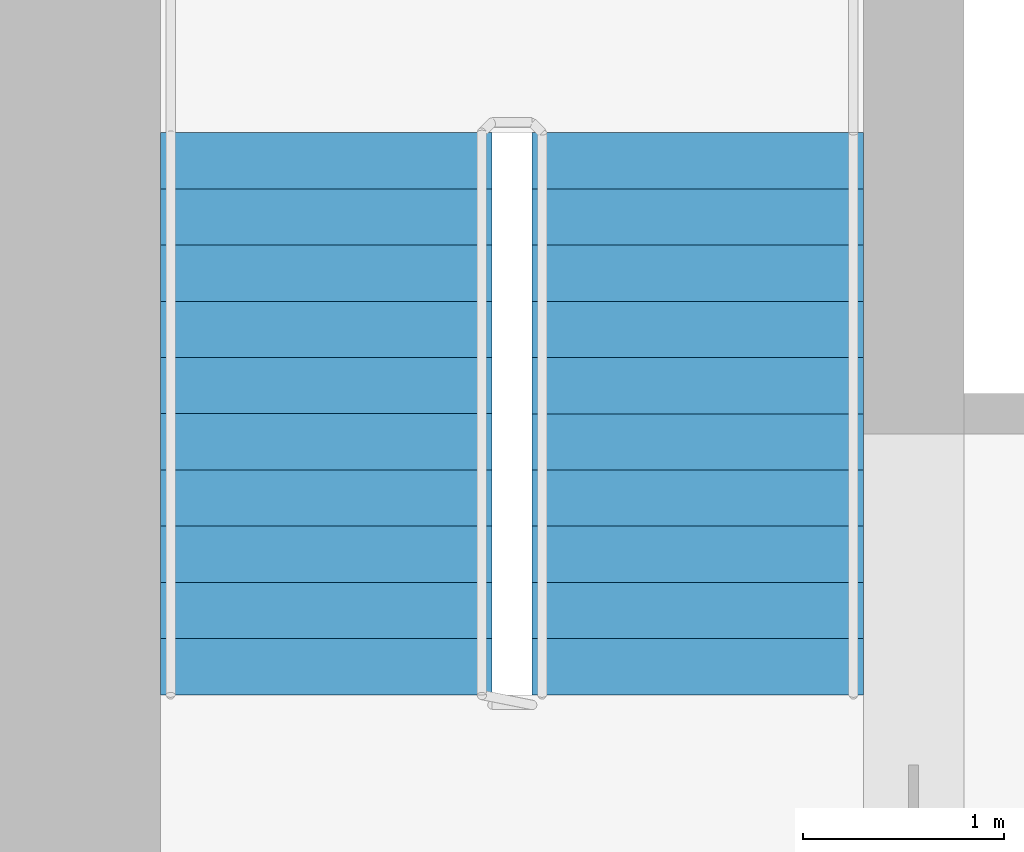
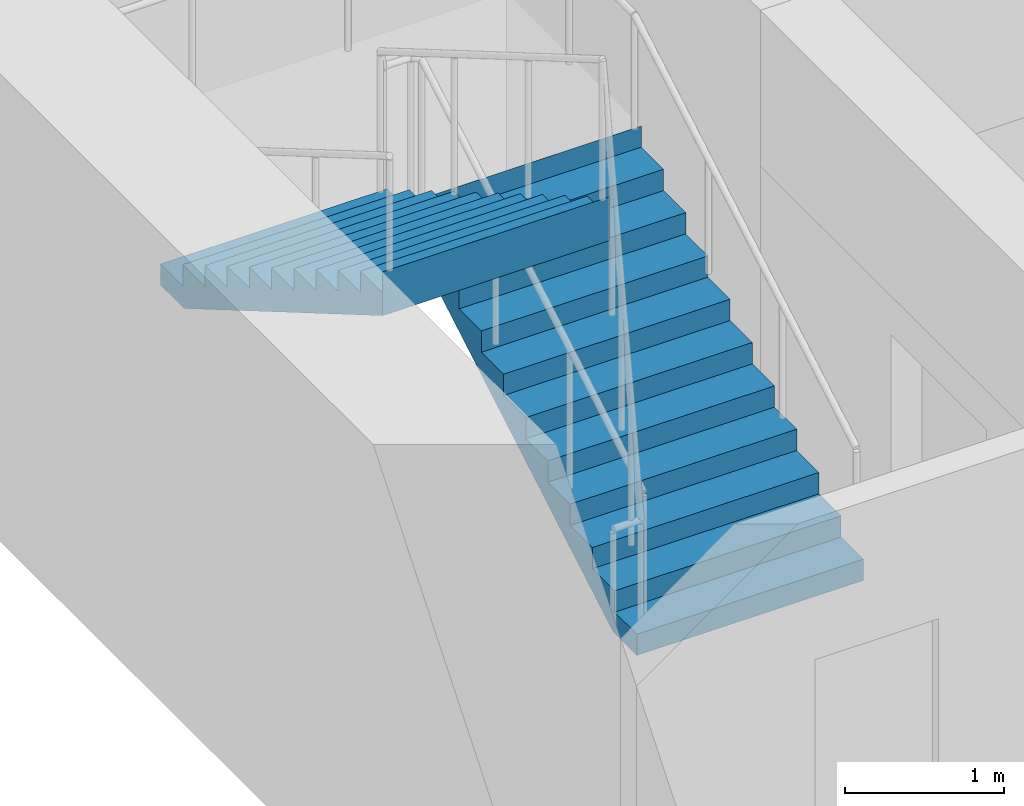
# One storey, part 13 of 14: 2 stair flights, 1 element without a shape of its own.
"""IFC4 building model written with IfcOpenShell, lengths in metres."""

from ifc_helpers import new_model, si_unit, direction, frame, origin, place, context, subcontext, project, spatial, polyline, outline, extrude, material, type_object, element, aggregate, save


model = new_model("IFC4")

# Units and contexts
model_context = context("Model", 3, precision=1e-05, world=origin(), true_north=direction((0.0, 1.0)))
body_context = subcontext(model_context, "Body", "Model", "MODEL_VIEW")
ifc_project = project(units=[si_unit("LENGTHUNIT", "METRE"), si_unit("AREAUNIT", "SQUARE_METRE"), si_unit("VOLUMEUNIT", "CUBIC_METRE"), si_unit("PLANEANGLEUNIT", "RADIAN"), si_unit("MASSUNIT", "GRAM", prefix="KILO")], contexts=[model_context])

# Site, building, storey
site_placement = place(None, origin())
site = spatial("IfcSite", under=ifc_project, at=site_placement, CompositionType="ELEMENT")
building_placement = place(site_placement, origin())
building = spatial("IfcBuilding", under=site, at=building_placement, Name="Tamorin Gate", CompositionType="ELEMENT")
storey_placement = place(building_placement, frame((0.0, 0.0, 70.0)))
storey = spatial("IfcBuildingStorey", under=building, at=storey_placement, Name="L16", CompositionType="ELEMENT", Elevation=70.0)

# Stair, stair flights
ifc_material = material(Name="Concrete C40/50", Category="concrete")
stair_type = type_object("IfcStairType", Name="Exit stair", PredefinedType="HALF_TURN_STAIR", material=ifc_material)
stair_placement = place(storey_placement, origin())
stair = element("IfcStair", 1, at=stair_placement, inside=storey, type_object=stair_type, Name="L16 stair ST2", PredefinedType="HALF_TURN_STAIR")
stair_flight_type = type_object("IfcStairFlightType", Name="Exit stair flight", PredefinedType="STRAIGHT", material=ifc_material)
stair_flight_1_placement = place(storey_placement, frame((33.675048828125, 77.0, 0.0), z_axis=(0.0, 0.0, 1.0), x_axis=(0.0, 1.0, 0.0)))
stair_flight_1 = element("IfcStairFlight", 2, at=stair_flight_1_placement, type_object=stair_flight_type, Name="ST2 flight 1", NumberOfRisers=11, NumberOfTreads=10, PredefinedType="STRAIGHT", RiserHeight=0.163636364, TreadLength=0.28, context=body_context, shape_type="SweptSolid", body=[
    extrude(outline(polyline([(-0.00048828125, 0.0), (-0.00048828125, 0.001708984375), (-0.00048828125, 0.003173828125), (-0.00048828125, 0.0048828125), (-0.00048828125, 0.006591796875), (-0.00048828125, 0.008056640625), (-0.00048828125, 0.009765625), (-0.00048828125, 0.01123046875), (-0.00048828125, 0.012939453125), (-0.00048828125, 0.0146484375), (-0.00048828125, 0.01611328125), (-0.00048828125, 0.017822265625), (-0.00048828125, 0.01953125), (-0.00048828125, 0.02099609375), (-0.00048828125, 0.022705078125), (-0.00048828125, 0.0244140625), (-0.00048828125, 0.02587890625), (-0.00048828125, 0.027587890625), (-0.00048828125, 0.029052734375), (-0.00048828125, 0.03076171875), (-0.00048828125, 0.032470703125), (-0.00048828125, 0.033935546875), (-0.00048828125, 0.03564453125), (-0.00048828125, 0.037353515625), (-0.00048828125, 0.038818359375), (-0.00048828125, 0.04052734375), (-0.00048828125, 0.042236328125), (-0.00048828125, 0.043701171875), (-0.00048828125, 0.04541015625), (-0.00048828125, 0.046875), (-0.00048828125, 0.048583984375), (-0.00048828125, 0.05029296875), (-0.00048828125, 0.0517578125), (-0.00048828125, 0.053466796875), (-0.00048828125, 0.05517578125), (-0.00048828125, 0.056640625), (-0.00048828125, 0.058349609375), (-0.00048828125, 0.06005859375), (-0.00048828125, 0.0615234375), (-0.00048828125, 0.063232421875), (-0.00048828125, 0.064697265625), (-0.00048828125, 0.06640625), (-0.00048828125, 0.068115234375), (-0.00048828125, 0.069580078125), (-0.00048828125, 0.0712890625), (-0.00048828125, 0.072998046875), (-0.00048828125, 0.074462890625), (-0.00048828125, 0.076171875), (-0.00048828125, 0.077880859375), (-0.00048828125, 0.079345703125), (-0.00048828125, 0.0810546875), (-0.00048828125, 0.08251953125), (-0.00048828125, 0.084228515625), (-0.00048828125, 0.0859375), (-0.00048828125, 0.08740234375), (-0.00048828125, 0.089111328125), (-0.00048828125, 0.0908203125), (-0.00048828125, 0.09228515625), (-0.00048828125, 0.093994140625), (-0.00048828125, 0.095703125), (-0.00048828125, 0.09716796875), (-0.00048828125, 0.098876953125), (-0.00048828125, 0.100341796875), (-0.00048828125, 0.10205078125), (-0.00048828125, 0.103759765625), (-0.00048828125, 0.105224609375), (-0.00048828125, 0.10693359375), (-0.00048828125, 0.108642578125), (-0.00048828125, 0.110107421875), (-0.00048828125, 0.11181640625), (-0.00048828125, 0.113525390625), (-0.00048828125, 0.114990234375), (-0.00048828125, 0.11669921875), (-0.00048828125, 0.1181640625), (-0.00048828125, 0.119873046875), (-0.00048828125, 0.12158203125), (-0.00048828125, 0.123046875), (-0.00048828125, 0.124755859375), (-0.00048828125, 0.12646484375), (-0.00048828125, 0.1279296875), (-0.00048828125, 0.129638671875), (-0.00048828125, 0.13134765625), (-0.00048828125, 0.1328125), (-0.00048828125, 0.134521484375), (-0.00048828125, 0.135986328125), (-0.00048828125, 0.1376953125), (-0.00048828125, 0.139404296875), (-0.00048828125, 0.140869140625), (-0.00048828125, 0.142578125), (-0.00048828125, 0.144287109375), (-0.00048828125, 0.145751953125), (-0.00048828125, 0.1474609375), (-0.00048828125, 0.149169921875), (-0.00048828125, 0.150634765625), (-0.00048828125, 0.15234375), (-0.00048828125, 0.15380859375), (-0.00048828125, 0.155517578125), (-0.00048828125, 0.1572265625), (-0.00048828125, 0.15869140625), (-0.00048828125, 0.160400390625), (-0.00048828125, 0.162109375), (-0.00048828125, 0.16357421875), (0.280029296875, 0.16357421875), (0.280029296875, 0.327392578125), (0.56005859375, 0.327392578125), (0.56005859375, 0.490966796875), (0.840087890625, 0.490966796875), (0.840087890625, 0.654541015625), (1.1201171875, 0.654541015625), (1.1201171875, 0.818115234375), (1.39990234375, 0.818115234375), (1.39990234375, 0.98193359375), (1.679931640625, 0.98193359375), (1.679931640625, 1.1455078125), (1.9599609375, 1.1455078125), (1.9599609375, 1.30908203125), (2.239990234375, 1.30908203125), (2.239990234375, 1.47265625), (2.52001953125, 1.47265625), (2.52001953125, 1.636474609375), (2.800048828125, 1.636474609375), (2.800048828125, 1.800048828125), (2.800537109375, 1.800048828125), (2.800537109375, 1.796630859375), (2.800537109375, 1.793212890625), (2.800537109375, 1.7900390625), (2.800537109375, 1.78662109375), (2.800537109375, 1.783203125), (2.800537109375, 1.780029296875), (2.800537109375, 1.776611328125), (2.800537109375, 1.773193359375), (2.800537109375, 1.77001953125), (2.800537109375, 1.7666015625), (2.800537109375, 1.76318359375), (2.800537109375, 1.760009765625), (2.800537109375, 1.756591796875), (2.800537109375, 1.753173828125), (2.800537109375, 1.75), (2.800537109375, 1.74658203125), (2.800537109375, 1.7431640625), (2.800537109375, 1.739990234375), (2.800537109375, 1.736572265625), (2.800537109375, 1.733154296875), (2.800537109375, 1.72998046875), (2.800537109375, 1.7265625), (2.800537109375, 1.72314453125), (2.800537109375, 1.719970703125), (2.800537109375, 1.716552734375), (2.800537109375, 1.713134765625), (2.800537109375, 1.7099609375), (2.800537109375, 1.70654296875), (2.800537109375, 1.703125), (2.800537109375, 1.69970703125), (2.800537109375, 1.696533203125), (2.800537109375, 1.693115234375), (2.800537109375, 1.689697265625), (2.800537109375, 1.6865234375), (2.800537109375, 1.68310546875), (2.800537109375, 1.6796875), (2.800537109375, 1.676513671875), (2.800537109375, 1.673095703125), (2.800537109375, 1.669677734375), (2.800537109375, 1.66650390625), (2.800537109375, 1.6630859375), (2.800537109375, 1.65966796875), (2.800537109375, 1.656494140625), (2.800537109375, 1.653076171875), (2.800537109375, 1.649658203125), (2.800537109375, 1.646484375), (2.800537109375, 1.64306640625), (2.800537109375, 1.6396484375), (2.800537109375, 1.636474609375), (2.800537109375, 1.633056640625), (2.800537109375, 1.629638671875), (2.800537109375, 1.62646484375), (2.800537109375, 1.623046875), (2.800537109375, 1.61962890625), (2.800537109375, 1.616455078125), (2.800537109375, 1.613037109375), (2.800537109375, 1.609619140625), (2.800537109375, 1.6064453125), (2.800537109375, 1.60302734375), (2.800537109375, 1.599609375), (2.800537109375, 1.59619140625), (2.800537109375, 1.593017578125), (2.800537109375, 1.589599609375), (2.800537109375, 1.586181640625), (2.800537109375, 1.5830078125), (2.800537109375, 1.57958984375), (2.800537109375, 1.576171875), (2.800537109375, 1.572998046875), (2.800537109375, 1.569580078125), (2.800537109375, 1.566162109375), (2.800537109375, 1.56298828125), (2.800537109375, 1.5595703125), (2.800537109375, 1.55615234375), (2.800537109375, 1.552978515625), (2.800537109375, 1.549560546875), (2.800537109375, 1.546142578125), (2.800537109375, 1.54296875), (2.800537109375, 1.53955078125), (2.800537109375, 1.5361328125), (2.800537109375, 1.532958984375), (2.800537109375, 1.529541015625), (2.800537109375, 1.526123046875), (2.800537109375, 1.52294921875), (2.800537109375, 1.51953125), (2.800537109375, 1.51611328125), (2.800537109375, 1.512939453125), (2.800537109375, 1.509521484375), (2.800537109375, 1.506103515625), (2.800537109375, 1.5029296875), (2.800537109375, 1.49951171875), (2.800537109375, 1.49609375), (2.800537109375, 1.49267578125), (2.800537109375, 1.489501953125), (2.800537109375, 1.486083984375), (2.800537109375, 1.482666015625), (2.800537109375, 1.4794921875), (2.800537109375, 1.47607421875), (2.800537109375, 1.47265625), (2.800537109375, 1.469482421875), (2.800537109375, 1.466064453125), (2.800537109375, 1.462646484375), (2.800048828125, 1.462646484375), (0.297119140625, 0.0), (-0.00048828125, 0.0)])), frame((0.0, 0.824951171875, 0.0), z_axis=(0.0, -1.0, 0.0), x_axis=(1.0, 0.0, 0.0)), (0.0, 0.0, 1.0), 1.64990234375),
])
stair_flight_2_placement = place(storey_placement, frame((31.824951171875, 79.800048828125, 1.800048828125), z_axis=(0.0, 0.0, 1.0), x_axis=(0.0, -1.0, 0.0)))
stair_flight_2 = element("IfcStairFlight", 3, at=stair_flight_2_placement, type_object=stair_flight_type, Name="ST2 flight 2", NumberOfRisers=11, NumberOfTreads=10, PredefinedType="STRAIGHT", RiserHeight=0.163636364, TreadLength=0.28, context=body_context, shape_type="SweptSolid", body=[
    extrude(outline(polyline([(-0.00048828125, 0.0), (-0.00048828125, 0.001708984375), (-0.00048828125, 0.003173828125), (-0.00048828125, 0.0048828125), (-0.00048828125, 0.006591796875), (-0.00048828125, 0.008056640625), (-0.00048828125, 0.009765625), (-0.00048828125, 0.01123046875), (-0.00048828125, 0.012939453125), (-0.00048828125, 0.0146484375), (-0.00048828125, 0.01611328125), (-0.00048828125, 0.017822265625), (-0.00048828125, 0.01953125), (-0.00048828125, 0.02099609375), (-0.00048828125, 0.022705078125), (-0.00048828125, 0.0244140625), (-0.00048828125, 0.02587890625), (-0.00048828125, 0.027587890625), (-0.00048828125, 0.029052734375), (-0.00048828125, 0.03076171875), (-0.00048828125, 0.032470703125), (-0.00048828125, 0.033935546875), (-0.00048828125, 0.03564453125), (-0.00048828125, 0.037353515625), (-0.00048828125, 0.038818359375), (-0.00048828125, 0.04052734375), (-0.00048828125, 0.042236328125), (-0.00048828125, 0.043701171875), (-0.00048828125, 0.04541015625), (-0.00048828125, 0.046875), (-0.00048828125, 0.048583984375), (-0.00048828125, 0.05029296875), (-0.00048828125, 0.0517578125), (-0.00048828125, 0.053466796875), (-0.00048828125, 0.05517578125), (-0.00048828125, 0.056640625), (-0.00048828125, 0.058349609375), (-0.00048828125, 0.06005859375), (-0.00048828125, 0.0615234375), (-0.00048828125, 0.063232421875), (-0.00048828125, 0.064697265625), (-0.00048828125, 0.06640625), (-0.00048828125, 0.068115234375), (-0.00048828125, 0.069580078125), (-0.00048828125, 0.0712890625), (-0.00048828125, 0.072998046875), (-0.00048828125, 0.074462890625), (-0.00048828125, 0.076171875), (-0.00048828125, 0.077880859375), (-0.00048828125, 0.079345703125), (-0.00048828125, 0.0810546875), (-0.00048828125, 0.08251953125), (-0.00048828125, 0.084228515625), (-0.00048828125, 0.0859375), (-0.00048828125, 0.08740234375), (-0.00048828125, 0.089111328125), (-0.00048828125, 0.0908203125), (-0.00048828125, 0.09228515625), (-0.00048828125, 0.093994140625), (-0.00048828125, 0.095703125), (-0.00048828125, 0.09716796875), (-0.00048828125, 0.098876953125), (-0.00048828125, 0.100341796875), (-0.00048828125, 0.10205078125), (-0.00048828125, 0.103759765625), (-0.00048828125, 0.105224609375), (-0.00048828125, 0.10693359375), (-0.00048828125, 0.108642578125), (-0.00048828125, 0.110107421875), (-0.00048828125, 0.11181640625), (-0.00048828125, 0.113525390625), (-0.00048828125, 0.114990234375), (-0.00048828125, 0.11669921875), (-0.00048828125, 0.1181640625), (-0.00048828125, 0.119873046875), (-0.00048828125, 0.12158203125), (-0.00048828125, 0.123046875), (-0.00048828125, 0.124755859375), (-0.00048828125, 0.12646484375), (-0.00048828125, 0.1279296875), (-0.00048828125, 0.129638671875), (-0.00048828125, 0.13134765625), (-0.00048828125, 0.1328125), (-0.00048828125, 0.134521484375), (-0.00048828125, 0.135986328125), (-0.00048828125, 0.1376953125), (-0.00048828125, 0.139404296875), (-0.00048828125, 0.140869140625), (-0.00048828125, 0.142578125), (-0.00048828125, 0.144287109375), (-0.00048828125, 0.145751953125), (-0.00048828125, 0.1474609375), (-0.00048828125, 0.149169921875), (-0.00048828125, 0.150634765625), (-0.00048828125, 0.15234375), (-0.00048828125, 0.15380859375), (-0.00048828125, 0.155517578125), (-0.00048828125, 0.1572265625), (-0.00048828125, 0.15869140625), (-0.00048828125, 0.160400390625), (-0.00048828125, 0.162109375), (-0.00048828125, 0.16357421875), (0.280029296875, 0.16357421875), (0.280029296875, 0.327392578125), (0.56005859375, 0.327392578125), (0.56005859375, 0.490966796875), (0.840087890625, 0.490966796875), (0.840087890625, 0.654541015625), (1.1201171875, 0.654541015625), (1.1201171875, 0.818115234375), (1.39990234375, 0.818115234375), (1.39990234375, 0.98193359375), (1.679931640625, 0.98193359375), (1.679931640625, 1.1455078125), (1.9599609375, 1.1455078125), (1.9599609375, 1.30908203125), (2.239990234375, 1.30908203125), (2.239990234375, 1.47265625), (2.52001953125, 1.47265625), (2.52001953125, 1.636474609375), (2.800048828125, 1.636474609375), (2.800048828125, 1.800048828125), (2.800537109375, 1.800048828125), (2.800537109375, 1.796630859375), (2.800537109375, 1.793212890625), (2.800537109375, 1.7900390625), (2.800537109375, 1.78662109375), (2.800537109375, 1.783203125), (2.800537109375, 1.780029296875), (2.800537109375, 1.776611328125), (2.800537109375, 1.773193359375), (2.800537109375, 1.77001953125), (2.800537109375, 1.7666015625), (2.800537109375, 1.76318359375), (2.800537109375, 1.760009765625), (2.800537109375, 1.756591796875), (2.800537109375, 1.753173828125), (2.800537109375, 1.75), (2.800537109375, 1.74658203125), (2.800537109375, 1.7431640625), (2.800537109375, 1.739990234375), (2.800537109375, 1.736572265625), (2.800537109375, 1.733154296875), (2.800537109375, 1.72998046875), (2.800537109375, 1.7265625), (2.800537109375, 1.72314453125), (2.800537109375, 1.719970703125), (2.800537109375, 1.716552734375), (2.800537109375, 1.713134765625), (2.800537109375, 1.7099609375), (2.800537109375, 1.70654296875), (2.800537109375, 1.703125), (2.800537109375, 1.69970703125), (2.800537109375, 1.696533203125), (2.800537109375, 1.693115234375), (2.800537109375, 1.689697265625), (2.800537109375, 1.6865234375), (2.800537109375, 1.68310546875), (2.800537109375, 1.6796875), (2.800537109375, 1.676513671875), (2.800537109375, 1.673095703125), (2.800537109375, 1.669677734375), (2.800537109375, 1.66650390625), (2.800537109375, 1.6630859375), (2.800537109375, 1.65966796875), (2.800537109375, 1.656494140625), (2.800537109375, 1.653076171875), (2.800537109375, 1.649658203125), (2.800537109375, 1.646484375), (2.800537109375, 1.64306640625), (2.800537109375, 1.6396484375), (2.800537109375, 1.636474609375), (2.800537109375, 1.633056640625), (2.800537109375, 1.629638671875), (2.800537109375, 1.62646484375), (2.800537109375, 1.623046875), (2.800537109375, 1.61962890625), (2.800537109375, 1.616455078125), (2.800537109375, 1.613037109375), (2.800537109375, 1.609619140625), (2.800537109375, 1.6064453125), (2.800537109375, 1.60302734375), (2.800537109375, 1.599609375), (2.800537109375, 1.59619140625), (2.800537109375, 1.593017578125), (2.800537109375, 1.589599609375), (2.800537109375, 1.586181640625), (2.800537109375, 1.5830078125), (2.800537109375, 1.57958984375), (2.800537109375, 1.576171875), (2.800537109375, 1.572998046875), (2.800537109375, 1.569580078125), (2.800537109375, 1.566162109375), (2.800537109375, 1.56298828125), (2.800537109375, 1.5595703125), (2.800537109375, 1.55615234375), (2.800537109375, 1.552978515625), (2.800537109375, 1.549560546875), (2.800537109375, 1.546142578125), (2.800537109375, 1.54296875), (2.800537109375, 1.53955078125), (2.800537109375, 1.5361328125), (2.800537109375, 1.532958984375), (2.800537109375, 1.529541015625), (2.800537109375, 1.526123046875), (2.800537109375, 1.52294921875), (2.800537109375, 1.51953125), (2.800537109375, 1.51611328125), (2.800537109375, 1.512939453125), (2.800537109375, 1.509521484375), (2.800537109375, 1.506103515625), (2.800537109375, 1.5029296875), (2.800537109375, 1.49951171875), (2.800537109375, 1.49609375), (2.800537109375, 1.49267578125), (2.800537109375, 1.489501953125), (2.800537109375, 1.486083984375), (2.800537109375, 1.482666015625), (2.800537109375, 1.4794921875), (2.800537109375, 1.47607421875), (2.800537109375, 1.47265625), (2.800537109375, 1.469482421875), (2.800537109375, 1.466064453125), (2.800537109375, 1.462646484375), (2.800048828125, 1.462646484375), (0.297119140625, 0.0), (-0.00048828125, 0.0)])), frame((0.0, 0.824951171875, 0.0), z_axis=(0.0, -1.0, 0.0), x_axis=(1.0, 0.0, 0.0)), (0.0, 0.0, 1.0), 1.64990234375),
])
aggregate(stair, [stair_flight_1, stair_flight_2])

save(model, "model.ifc")
